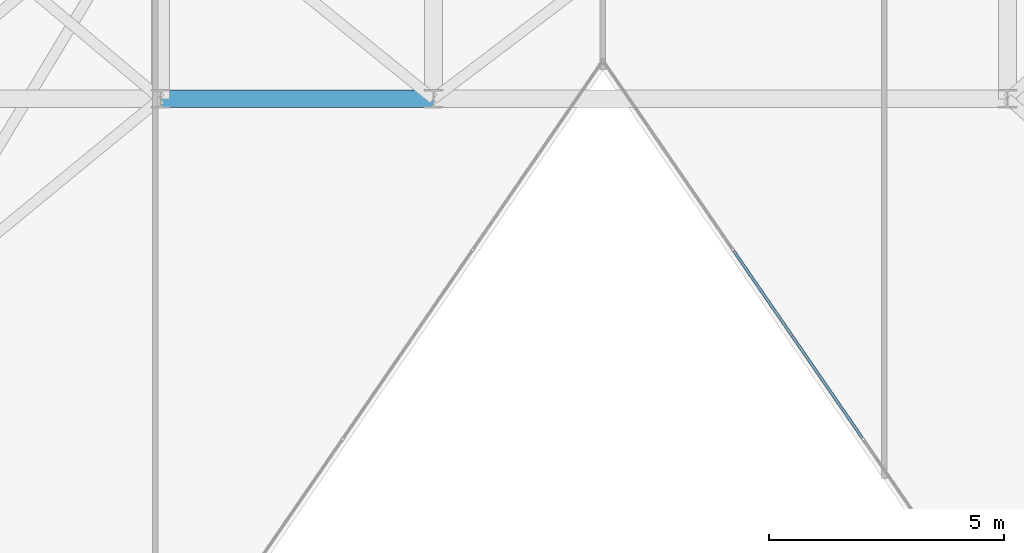
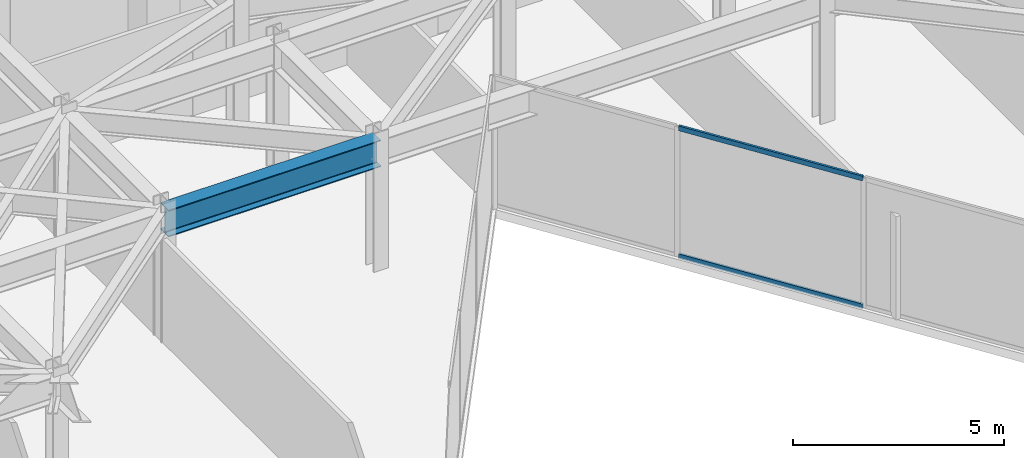
# One storey, part 7 of 26: 2 members, 1 beam, 1 element without a shape of its own.
"""IFC4 building model written with IfcOpenShell, lengths in metres."""

from ifc_helpers import new_model, si_unit, direction, frame, origin, origin_2d, place, context, subcontext, project, spatial, hollow_rectangle, i_section, extrude, material, layer, layer_set, material_profile, profile_set, type_object, element, aggregate, save


model = new_model("IFC4")

# Units and contexts
model_context = context("Model", 3, precision=1e-05, world=origin(), true_north=direction((0.0, 1.0)))
body_context = subcontext(model_context, "Body", "Model", "MODEL_VIEW")
ifc_project = project(units=[si_unit("LENGTHUNIT", "METRE"), si_unit("AREAUNIT", "SQUARE_METRE"), si_unit("VOLUMEUNIT", "CUBIC_METRE"), si_unit("PLANEANGLEUNIT", "RADIAN"), si_unit("MASSUNIT", "GRAM", prefix="KILO")], contexts=[model_context])

# Site, building, storey
site_placement = place(None, origin())
site = spatial("IfcSite", under=ifc_project, at=site_placement, CompositionType="ELEMENT")
building_placement = place(site_placement, origin())
building = spatial("IfcBuilding", under=site, at=building_placement, Name="Kravanh Interchange Tower", CompositionType="ELEMENT")
storey_placement = place(building_placement, frame((0.0, 0.0, 212.5)))
storey = spatial("IfcBuildingStorey", under=building, at=storey_placement, Name="L51", CompositionType="ELEMENT", Elevation=212.5)

# Curtain wall, members
ifc_material_1 = material(Name="Anodised Bronze Aluminium", Category="aluminium")
ifc_layer = layer(ifc_material_1, 0.179931640625)
ifc_layer_set = layer_set([ifc_layer], Name="Unitised Curtain Wall System CW-Z3 Upper Office")
curtain_wall_type = type_object("IfcCurtainWallType", Name="Unitised Curtain Wall System CW-Z3 Upper Office", PredefinedType="NOTDEFINED", material=ifc_layer_set)
curtain_wall_placement = place(storey_placement, origin())
curtain_wall = element("IfcCurtainWall", 1, at=curtain_wall_placement, inside=storey, type_object=curtain_wall_type, Name="L51 Unitised Curtain Wall CW-L51-04", PredefinedType="NOTDEFINED")
ifc_material_2 = material(Name="Anodised Bronze Aluminium", Category="aluminium")
ifc_material_profile_1 = material_profile(ifc_material_2, hollow_rectangle(XDim=0.06005859375, YDim=0.139892578125, WallThickness=0.00390625, at=origin_2d()), Name="ALU60X140X4")
ifc_profile_set_1 = profile_set([ifc_material_profile_1], Name="Anodised Bronze Aluminium")
member_type = type_object("IfcMemberType", Name="Curtain Wall Transom ALU60X140X4 Bronze", PredefinedType="USERDEFINED", material=ifc_profile_set_1)
member_1_placement = place(storey_placement, frame((47.714599609375, 19.590576171875, 0.030029296875), z_axis=(-0.566537417683, 0.824036015211, 0.0), x_axis=(-0.824036015211, -0.566537417683, 0.0)))
member_1 = element("IfcMember", 2, at=member_1_placement, type_object=member_type, Name="CW-Z3 transom 3.1", ObjectType="TRANSOM", PredefinedType="USERDEFINED", context=body_context, shape_type="SweptSolid", body=[
    extrude(hollow_rectangle(XDim=0.06005859375, YDim=0.139892578125, WallThickness=0.00390625, at=origin_2d()), origin(), (0.0, 0.0, 1.0), 4.822265625),
])
member_2_placement = place(storey_placement, frame((47.714599609375, 19.590576171875, 3.72509765625), z_axis=(-0.566537417683, 0.824036015211, 0.0), x_axis=(-0.824036015211, -0.566537417683, 0.0)))
member_2 = element("IfcMember", 3, at=member_2_placement, type_object=member_type, Name="CW-Z3 transom 3.2", ObjectType="TRANSOM", PredefinedType="USERDEFINED", context=body_context, shape_type="SweptSolid", body=[
    extrude(hollow_rectangle(XDim=0.06005859375, YDim=0.139892578125, WallThickness=0.00390625, at=origin_2d()), origin(), (0.0, 0.0, 1.0), 4.822265625),
])
aggregate(curtain_wall, [member_1, member_2])

# Beam
ifc_material_3 = material(Name="Structural Steel S355", Category="steel")
ifc_material_profile_2 = material_profile(ifc_material_3, i_section(OverallWidth=0.381103515625, OverallDepth=0.77294921875, WebThickness=0.0166015625, FlangeThickness=0.027099609375, FilletRadius=0.02490234375, at=origin_2d()), Name="W30X173")
ifc_profile_set_2 = profile_set([ifc_material_profile_2], Name="Structural Steel S355")
beam_type = type_object("IfcBeamType", Name="Floor Beam W30X173 Structural Steel S355", PredefinedType="BEAM", material=ifc_profile_set_2)
beam_placement = place(storey_placement, frame((32.800048828125, 26.800048828125, 3.368408203125), z_axis=(1.0, 0.0, 0.0), x_axis=(0.0, 1.0, 0.0)))
element("IfcBeam", 4, at=beam_placement, inside=storey, type_object=beam_type, Name="L51 Primary Floor Girder 42", PredefinedType="BEAM", context=body_context, shape_type="SweptSolid", body=[
    extrude(i_section(OverallWidth=0.381103515625, OverallDepth=0.77294921875, WebThickness=0.0166015625, FlangeThickness=0.027099609375, FilletRadius=0.02490234375, at=origin_2d()), origin(), (0.0, 0.0, 1.0), 5.800048828125),
])

save(model, "model.ifc")
